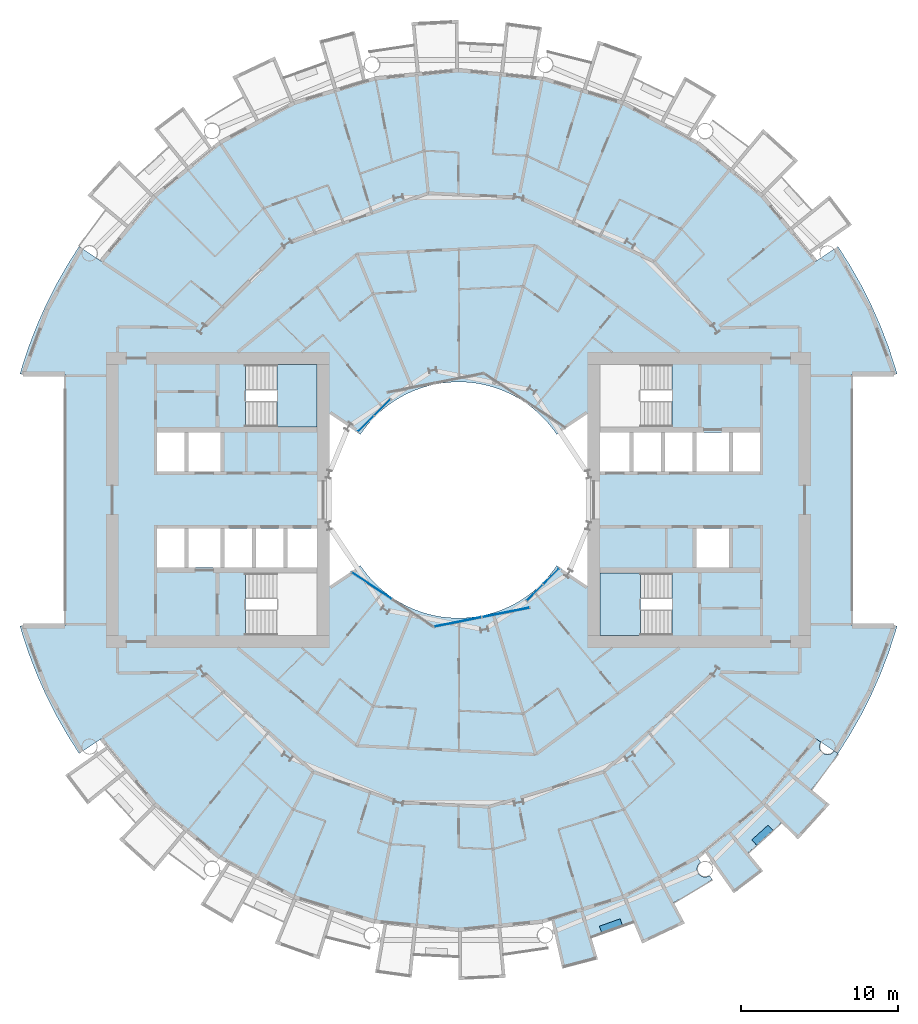
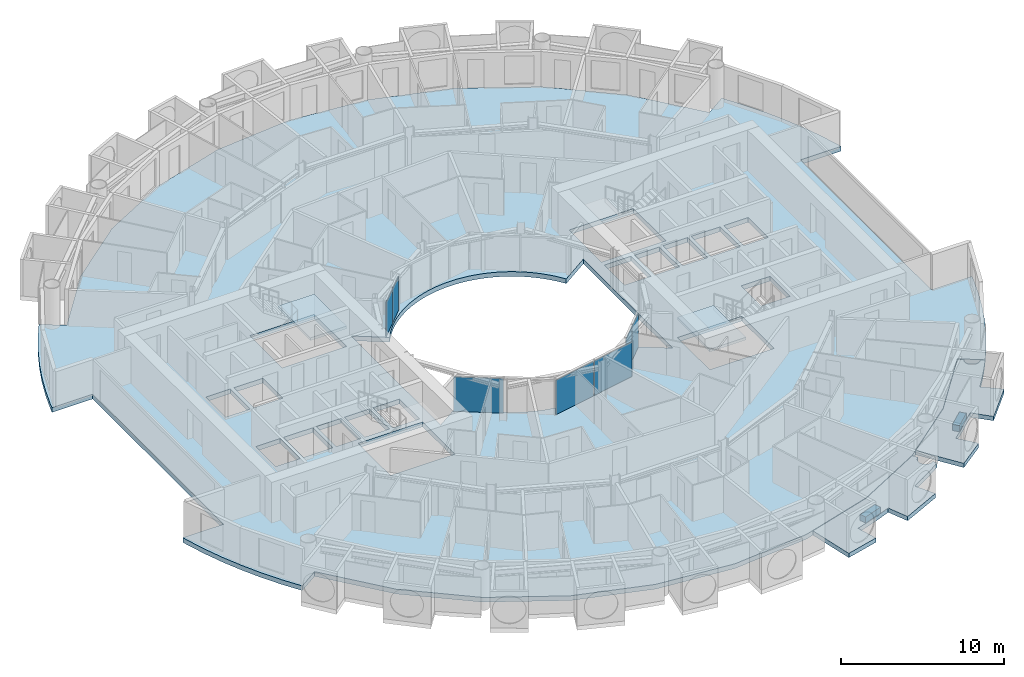
# One storey, part 10 of 26: 7 plates, 7 slabs, 6 elements without a shape of their own.
"""IFC4 building model written with IfcOpenShell, lengths in metres."""

from ifc_helpers import new_model, si_unit, direction, frame, origin, origin_2d, place, context, subcontext, project, spatial, polyline, rectangle, outline, extrude, material, layer, layer_set, type_object, element, aggregate, save


model = new_model("IFC4")

# Units and contexts
model_context = context("Model", 3, precision=1e-05, world=origin(), true_north=direction((0.0, 1.0)))
body_context = subcontext(model_context, "Body", "Model", "MODEL_VIEW")
ifc_project = project(units=[si_unit("LENGTHUNIT", "METRE"), si_unit("AREAUNIT", "SQUARE_METRE"), si_unit("VOLUMEUNIT", "CUBIC_METRE"), si_unit("PLANEANGLEUNIT", "RADIAN"), si_unit("MASSUNIT", "GRAM", prefix="KILO")], contexts=[model_context])

# Site, building, storey
site_placement = place(None, origin())
site = spatial("IfcSite", under=ifc_project, at=site_placement, CompositionType="ELEMENT")
building_placement = place(site_placement, origin())
building = spatial("IfcBuilding", under=site, at=building_placement, Name="Maasbend Ring Residences", CompositionType="ELEMENT")
storey_placement = place(building_placement, frame((0.0, 0.0, 44.14990234375)))
storey = spatial("IfcBuildingStorey", under=building, at=storey_placement, Name="L12", CompositionType="ELEMENT", Elevation=44.14990234375)

# Stair, slab
ifc_material_1 = material(Name="Concrete C40/50", Category="concrete")
stair_type = type_object("IfcStairType", Name="CORE STAIR 18 RISERS", PredefinedType="HALF_TURN_STAIR", material=ifc_material_1)
stair_1_placement = place(storey_placement, origin())
stair_1 = element("IfcStair", 1, at=stair_1_placement, inside=storey, type_object=stair_type, Name="L12 Exit stair ST-E2", PredefinedType="HALF_TURN_STAIR")
ifc_material_2 = material(Name="Concrete C40/50", Category="concrete")
ifc_layer_1 = layer(ifc_material_2, 0.199951171875)
ifc_layer_set_1 = layer_set([ifc_layer_1], Name="Concrete C40/50")
slab_type_1 = type_object("IfcSlabType", Name="CORE STAIR LANDING 200", PredefinedType="LANDING", material=ifc_layer_set_1)
slab_1_placement = place(storey_placement, frame((0.0, 0.0, 1.3251953125)))
slab_1 = element("IfcSlab", 2, at=slab_1_placement, type_object=slab_type_1, Name="ST-E2 landing 1", PredefinedType="LANDING", context=body_context, shape_type="SweptSolid", body=[
    extrude(outline(polyline([(11.550048828125, -4.64990234375), (9.0, -4.64990234375), (9.0, -8.60009765625), (11.550048828125, -8.60009765625), (11.550048828125, -4.64990234375)])), origin(), (0.0, 0.0, 1.0), 0.199951171875),
])
aggregate(stair_1, [slab_1])

stair_2_placement = place(storey_placement, origin())
stair_2 = element("IfcStair", 3, at=stair_2_placement, inside=storey, type_object=stair_type, Name="L12 Exit stair ST-W2", PredefinedType="HALF_TURN_STAIR")
slab_2_placement = place(storey_placement, frame((0.0, 0.0, 1.3251953125)))
slab_2 = element("IfcSlab", 4, at=slab_2_placement, type_object=slab_type_1, Name="ST-W2 landing 1", PredefinedType="LANDING", context=body_context, shape_type="SweptSolid", body=[
    extrude(outline(polyline([(-11.550048828125, 4.64990234375), (-9.0, 4.64990234375), (-9.0, 8.60009765625), (-11.550048828125, 8.60009765625), (-11.550048828125, 4.64990234375)])), origin(), (0.0, 0.0, 1.0), 0.199951171875),
])
aggregate(stair_2, [slab_2])

# Curtain wall, plates
ifc_material_3 = material(Name="Aluminium and clear glass", Category="aluminium")
ifc_layer_2 = layer(ifc_material_3, 0.179931640625)
ifc_layer_set_2 = layer_set([ifc_layer_2], Name="CW-W")
curtain_wall_type = type_object("IfcCurtainWallType", Name="CW-W", PredefinedType="NOTDEFINED", material=ifc_layer_set_2)
curtain_wall_1_placement = place(storey_placement, origin())
curtain_wall_1 = element("IfcCurtainWall", 5, at=curtain_wall_1_placement, inside=storey, type_object=curtain_wall_type, Name="Well curtain wall N3", PredefinedType="NOTDEFINED")
ifc_material_4 = material(Name="Glass clear laminated", Category="glass")
ifc_layer_3 = layer(ifc_material_4, 0.031982421875)
ifc_layer_set_3 = layer_set([ifc_layer_3], Name="CWP-W")
plate_type = type_object("IfcPlateType", Name="CWP-W", PredefinedType="CURTAIN_PANEL", material=ifc_layer_set_3)
plate_1_placement = place(storey_placement, frame((-4.84375, 5.89013671875, 0.0), z_axis=(0.0, 0.0, 1.0), x_axis=(-0.707106781187, -0.707106781187, 0.0)))
plate_1 = element("IfcPlate", 6, at=plate_1_placement, type_object=plate_type, Name="Glass panel well face", PredefinedType="CURTAIN_PANEL", context=body_context, shape_type="SweptSolid", body=[
    extrude(rectangle(XDim=1.419677734375, YDim=0.031982421875, at=origin_2d()), origin(), (0.0, 0.0, 1.0), 2.580078125),
])
plate_2_placement = place(storey_placement, frame((-5.89013671875, 4.84375, 0.0), z_axis=(0.0, 0.0, 1.0), x_axis=(-0.707106781187, -0.707106781187, 0.0)))
plate_2 = element("IfcPlate", 7, at=plate_2_placement, type_object=plate_type, Name="Glass panel well face", PredefinedType="CURTAIN_PANEL", context=body_context, shape_type="SweptSolid", body=[
    extrude(rectangle(XDim=1.419677734375, YDim=0.031982421875, at=origin_2d()), origin(), (0.0, 0.0, 1.0), 2.580078125),
])
aggregate(curtain_wall_1, [plate_1, plate_2])

# Curtain wall, plate
curtain_wall_2_placement = place(storey_placement, origin())
curtain_wall_2 = element("IfcCurtainWall", 8, at=curtain_wall_2_placement, inside=storey, type_object=curtain_wall_type, Name="Well curtain wall S1", PredefinedType="NOTDEFINED")
plate_3_placement = place(storey_placement, frame((-5.51123046875, -5.44580078125, 0.0), z_axis=(0.0, 0.0, 1.0), x_axis=(0.831469612303, -0.55557023302, 0.0)))
plate_3 = element("IfcPlate", 9, at=plate_3_placement, type_object=plate_type, Name="Glass panel well face", PredefinedType="CURTAIN_PANEL", context=body_context, shape_type="SweptSolid", body=[
    extrude(rectangle(XDim=3.053955078125, YDim=0.031982421875, at=origin_2d()), origin(), (0.0, 0.0, 1.0), 2.580078125),
])
aggregate(curtain_wall_2, [plate_3])

# Curtain wall, plates
curtain_wall_3_placement = place(storey_placement, origin())
curtain_wall_3 = element("IfcCurtainWall", 10, at=curtain_wall_3_placement, inside=storey, type_object=curtain_wall_type, Name="Well curtain wall S2", PredefinedType="NOTDEFINED")
plate_4_placement = place(storey_placement, frame((-0.04638671875, -7.747802734375, 0.0), z_axis=(0.0, 0.0, 1.0), x_axis=(0.980785280403, 0.195090322016, 0.0)))
plate_4 = element("IfcPlate", 11, at=plate_4_placement, type_object=plate_type, Name="Glass panel well face", PredefinedType="CURTAIN_PANEL", context=body_context, shape_type="SweptSolid", body=[
    extrude(rectangle(XDim=3.053955078125, YDim=0.031982421875, at=origin_2d()), origin(), (0.0, 0.0, 1.0), 2.580078125),
])
plate_5_placement = place(storey_placement, frame((3.0078125, -7.140380859375, 0.0), z_axis=(0.0, 0.0, 1.0), x_axis=(0.980785280403, 0.195090322016, 0.0)))
plate_5 = element("IfcPlate", 12, at=plate_5_placement, type_object=plate_type, Name="Glass panel well face", PredefinedType="CURTAIN_PANEL", context=body_context, shape_type="SweptSolid", body=[
    extrude(rectangle(XDim=3.053955078125, YDim=0.031982421875, at=origin_2d()), origin(), (0.0, 0.0, 1.0), 2.580078125),
])
aggregate(curtain_wall_3, [plate_4, plate_5])

curtain_wall_4_placement = place(storey_placement, origin())
curtain_wall_4 = element("IfcCurtainWall", 13, at=curtain_wall_4_placement, inside=storey, type_object=curtain_wall_type, Name="Well curtain wall S3", PredefinedType="NOTDEFINED")
plate_6_placement = place(storey_placement, frame((4.84375, -5.89013671875, 0.0), z_axis=(0.0, 0.0, 1.0), x_axis=(0.707106781187, 0.707106781187, 0.0)))
plate_6 = element("IfcPlate", 14, at=plate_6_placement, type_object=plate_type, Name="Glass panel well face", PredefinedType="CURTAIN_PANEL", context=body_context, shape_type="SweptSolid", body=[
    extrude(rectangle(XDim=1.419677734375, YDim=0.031982421875, at=origin_2d()), origin(), (0.0, 0.0, 1.0), 2.580078125),
])
plate_7_placement = place(storey_placement, frame((5.89013671875, -4.84375, 0.0), z_axis=(0.0, 0.0, 1.0), x_axis=(0.707106781187, 0.707106781187, 0.0)))
plate_7 = element("IfcPlate", 15, at=plate_7_placement, type_object=plate_type, Name="Glass panel well face", PredefinedType="CURTAIN_PANEL", context=body_context, shape_type="SweptSolid", body=[
    extrude(rectangle(XDim=1.419677734375, YDim=0.031982421875, at=origin_2d()), origin(), (0.0, 0.0, 1.0), 2.580078125),
])
aggregate(curtain_wall_4, [plate_6, plate_7])

# Slabs
ifc_material_5 = material(Name="Planting with climbing greenery")
ifc_layer_4 = layer(ifc_material_5, 0.449951171875)
ifc_layer_set_4 = layer_set([ifc_layer_4], Name="PLANTER-LG")
slab_type_2 = type_object("IfcSlabType", Name="PLANTER-LG", PredefinedType="USERDEFINED", material=ifc_layer_set_4)
slab_3_placement = place(storey_placement, frame((0.0, 0.0, -0.02978515625)))
element("IfcSlab", 16, at=slab_3_placement, inside=storey, type_object=slab_type_2, Name="Planter with climbing greenery 4", ObjectType="PLANTER", PredefinedType="USERDEFINED", context=body_context, shape_type="SweptSolid", body=[
    extrude(outline(polyline([(9.09912109375, -27.508056640625), (10.4169921875, -27.035888671875), (10.26611328125, -26.612060546875), (8.947021484375, -27.083984375), (9.09912109375, -27.508056640625)])), origin(), (0.0, 0.0, 1.0), 0.449951171875),
])
slab_4_placement = place(storey_placement, frame((0.0, 0.0, -0.02978515625)))
element("IfcSlab", 17, at=slab_4_placement, inside=storey, type_object=slab_type_2, Name="Planter with climbing greenery 5", ObjectType="PLANTER", PredefinedType="USERDEFINED", context=body_context, shape_type="SweptSolid", body=[
    extrude(outline(polyline([(18.93310546875, -21.931884765625), (19.969970703125, -20.991943359375), (19.66796875, -20.657958984375), (18.631103515625, -21.597900390625), (18.93310546875, -21.931884765625)])), origin(), (0.0, 0.0, 1.0), 0.449951171875),
])
ifc_material_6 = material(Name="Concrete C40/50", Category="concrete")
ifc_layer_5 = layer(ifc_material_6, 0.35009765625)
ifc_layer_set_5 = layer_set([ifc_layer_5], Name="Concrete C40/50")
slab_type_3 = type_object("IfcSlabType", Name="Post-tensioned flat plate 350", PredefinedType="FLOOR", material=ifc_layer_set_5)
slab_5_placement = place(storey_placement, frame((0.0, 0.0, -0.349853515625)))
element("IfcSlab", 18, at=slab_5_placement, inside=storey, type_object=slab_type_3, Name="Floor slab L12", PredefinedType="FLOOR", context=body_context, shape_type="SweptSolid", body=[
    extrude(outline(polyline([(24.8740234375, -14.908935546875), (25.57568359375, -13.67041015625), (26.2158203125, -12.399169921875), (26.79248046875, -11.097900390625), (27.3046875, -9.769775390625), (27.751220703125, -8.418212890625), (27.866943359375, -8.0), (25.0, -8.0), (25.0, 8.0), (27.866943359375, 8.0), (27.751220703125, 8.418212890625), (27.3046875, 9.769775390625), (26.79248046875, 11.097900390625), (26.2158203125, 12.399169921875), (25.57568359375, 13.67041015625), (24.8740234375, 14.908935546875), (24.112548828125, 16.111572265625), (22.69921875, 15.1669921875), (19.303955078125, 19.303955078125), (15.1669921875, 22.69921875), (10.447265625, 25.221923828125), (5.325927734375, 26.775390625), (0.0, 27.300048828125), (-5.325927734375, 26.775390625), (-10.447265625, 25.221923828125), (-15.1669921875, 22.69921875), (-19.303955078125, 19.303955078125), (-22.69921875, 15.1669921875), (-24.112548828125, 16.111572265625), (-24.8740234375, 14.908935546875), (-25.57568359375, 13.67041015625), (-26.2158203125, 12.399169921875), (-26.79248046875, 11.097900390625), (-27.3046875, 9.769775390625), (-27.751220703125, 8.418212890625), (-27.866943359375, 8.0), (-25.0, 8.0), (-25.0, -8.0), (-27.866943359375, -8.0), (-27.751220703125, -8.418212890625), (-27.3046875, -9.769775390625), (-26.79248046875, -11.097900390625), (-26.2158203125, -12.399169921875), (-25.57568359375, -13.67041015625), (-24.8740234375, -14.908935546875), (-24.112548828125, -16.111572265625), (-22.69921875, -15.1669921875), (-19.303955078125, -19.303955078125), (-15.1669921875, -22.69921875), (-10.447265625, -25.221923828125), (-5.325927734375, -26.775390625), (0.0, -27.300048828125), (5.325927734375, -26.775390625), (10.447265625, -25.221923828125), (15.1669921875, -22.69921875), (19.303955078125, -19.303955078125), (22.69921875, -15.1669921875), (24.112548828125, -16.111572265625), (24.8740234375, -14.908935546875)]), holes=[polyline([(17.425048828125, 4.27490234375), (19.14990234375, 4.27490234375), (19.14990234375, 1.824951171875), (17.425048828125, 1.824951171875), (17.425048828125, 4.27490234375)]), polyline([(15.125, 1.824951171875), (15.125, 4.27490234375), (17.175048828125, 4.27490234375), (17.175048828125, 1.824951171875), (15.125, 1.824951171875)]), polyline([(15.125, -4.27490234375), (15.125, -1.824951171875), (17.175048828125, -1.824951171875), (17.175048828125, -4.27490234375), (15.125, -4.27490234375)]), polyline([(13.125, 1.824951171875), (13.125, 4.27490234375), (14.875, 4.27490234375), (14.875, 1.824951171875), (13.125, 1.824951171875)]), polyline([(13.550048828125, 4.64990234375), (9.0, 4.64990234375), (9.0, 8.60009765625), (13.550048828125, 8.60009765625), (13.550048828125, 4.64990234375)]), polyline([(13.550048828125, -4.64990234375), (13.550048828125, -8.60009765625), (9.0, -8.60009765625), (9.0, -4.64990234375), (13.550048828125, -4.64990234375)]), polyline([(11.125, 1.824951171875), (11.125, 4.27490234375), (12.875, 4.27490234375), (12.875, 1.824951171875), (11.125, 1.824951171875)]), polyline([(9.0, 1.824951171875), (9.0, 4.27490234375), (10.875, 4.27490234375), (10.875, 1.824951171875), (9.0, 1.824951171875)]), polyline([(6.024169921875, 4.4677734375), (6.236083984375, 4.166748046875), (8.199951171875, 5.47900390625), (8.199951171875, -5.47900390625), (6.236083984375, -4.166748046875), (6.024169921875, -4.4677734375), (5.797607421875, -4.7578125), (5.55712890625, -5.03662109375), (5.30322265625, -5.30322265625), (5.03662109375, -5.55712890625), (4.7578125, -5.797607421875), (4.4677734375, -6.024169921875), (4.166748046875, -6.236083984375), (3.855712890625, -6.43310546875), (3.535400390625, -6.614501953125), (3.206787109375, -6.77978515625), (2.8701171875, -6.92919921875), (2.526611328125, -7.0615234375), (2.177001953125, -7.177001953125), (1.822509765625, -7.275146484375), (1.463134765625, -7.35595703125), (1.1005859375, -7.418701171875), (0.735107421875, -7.4638671875), (0.367919921875, -7.490966796875), (0.0, -7.5), (-0.367919921875, -7.490966796875), (-0.735107421875, -7.4638671875), (-1.1005859375, -7.418701171875), (-1.463134765625, -7.35595703125), (-1.822509765625, -7.275146484375), (-2.177001953125, -7.177001953125), (-2.526611328125, -7.0615234375), (-2.8701171875, -6.92919921875), (-3.206787109375, -6.77978515625), (-3.535400390625, -6.614501953125), (-3.855712890625, -6.43310546875), (-4.166748046875, -6.236083984375), (-4.4677734375, -6.024169921875), (-4.7578125, -5.797607421875), (-5.03662109375, -5.55712890625), (-5.30322265625, -5.30322265625), (-5.55712890625, -5.03662109375), (-5.797607421875, -4.7578125), (-6.024169921875, -4.4677734375), (-6.236083984375, -4.166748046875), (-8.199951171875, -5.47900390625), (-8.199951171875, 5.47900390625), (-6.236083984375, 4.166748046875), (-6.236083984375, 4.166748046875), (-6.024169921875, 4.4677734375), (-5.797607421875, 4.7578125), (-5.55712890625, 5.03662109375), (-5.30322265625, 5.30322265625), (-5.03662109375, 5.55712890625), (-4.7578125, 5.797607421875), (-4.4677734375, 6.024169921875), (-4.166748046875, 6.236083984375), (-3.855712890625, 6.43310546875), (-3.535400390625, 6.614501953125), (-3.206787109375, 6.77978515625), (-2.8701171875, 6.92919921875), (-2.526611328125, 7.0615234375), (-2.177001953125, 7.177001953125), (-1.822509765625, 7.275146484375), (-1.463134765625, 7.35595703125), (-1.1005859375, 7.418701171875), (-0.735107421875, 7.4638671875), (-0.367919921875, 7.490966796875), (0.0, 7.5), (0.367919921875, 7.490966796875), (0.735107421875, 7.4638671875), (1.1005859375, 7.418701171875), (1.463134765625, 7.35595703125), (1.822509765625, 7.275146484375), (2.177001953125, 7.177001953125), (2.526611328125, 7.0615234375), (2.8701171875, 6.92919921875), (3.206787109375, 6.77978515625), (3.535400390625, 6.614501953125), (3.855712890625, 6.43310546875), (4.166748046875, 6.236083984375), (4.4677734375, 6.024169921875), (4.7578125, 5.797607421875), (5.03662109375, 5.55712890625), (5.30322265625, 5.30322265625), (5.55712890625, 5.03662109375), (5.797607421875, 4.7578125), (6.024169921875, 4.4677734375)]), polyline([(-13.550048828125, 4.64990234375), (-13.550048828125, 8.60009765625), (-9.0, 8.60009765625), (-9.0, 4.64990234375), (-13.550048828125, 4.64990234375)]), polyline([(-13.550048828125, -8.60009765625), (-13.550048828125, -4.64990234375), (-9.0, -4.64990234375), (-9.0, -8.60009765625), (-13.550048828125, -8.60009765625)]), polyline([(-9.0, -1.824951171875), (-9.0, -4.27490234375), (-10.875, -4.27490234375), (-10.875, -1.824951171875), (-9.0, -1.824951171875)]), polyline([(-11.125, -1.824951171875), (-11.125, -4.27490234375), (-12.875, -4.27490234375), (-12.875, -1.824951171875), (-11.125, -1.824951171875)]), polyline([(-13.125, -1.824951171875), (-13.125, -4.27490234375), (-14.875, -4.27490234375), (-14.875, -1.824951171875), (-13.125, -1.824951171875)]), polyline([(-15.125, 4.27490234375), (-15.125, 1.824951171875), (-17.175048828125, 1.824951171875), (-17.175048828125, 4.27490234375), (-15.125, 4.27490234375)]), polyline([(-15.125, -1.824951171875), (-15.125, -4.27490234375), (-17.175048828125, -4.27490234375), (-17.175048828125, -1.824951171875), (-15.125, -1.824951171875)]), polyline([(-17.425048828125, -1.824951171875), (-17.425048828125, -4.27490234375), (-19.14990234375, -4.27490234375), (-19.14990234375, -1.824951171875), (-17.425048828125, -1.824951171875)]), polyline([(-17.425048828125, 4.27490234375), (-17.425048828125, 1.824951171875), (-19.14990234375, 1.824951171875), (-19.14990234375, 4.27490234375), (-17.425048828125, 4.27490234375)])]), origin(), (0.0, 0.0, 1.0), 0.349853515625),
])
ifc_material_7 = material(Name="Concrete C40/50", Category="concrete")
ifc_layer_6 = layer(ifc_material_7, 0.199951171875)
ifc_layer_set_6 = layer_set([ifc_layer_6], Name="Concrete C40/50")
slab_type_4 = type_object("IfcSlabType", Name="SL-LOGGIA", PredefinedType="FLOOR", material=ifc_layer_set_6)
slab_6_placement = place(storey_placement, frame((0.0, 0.0, -0.349853515625)))
element("IfcSlab", 19, at=slab_6_placement, inside=storey, type_object=slab_type_4, Name="Loggia floor 1", PredefinedType="FLOOR", context=body_context, shape_type="SweptSolid", body=[
    extrude(outline(polyline([(10.447021484375, -25.221923828125), (12.806884765625, -23.9609375), (15.1669921875, -22.698974609375), (15.1669921875, -22.698974609375), (15.1669921875, -22.698974609375), (15.385009765625, -23.02490234375), (15.375, -23.031982421875), (15.364013671875, -23.0390625), (15.35498046875, -23.047119140625), (15.344970703125, -23.054931640625), (15.3349609375, -23.06298828125), (15.325927734375, -23.071044921875), (15.31689453125, -23.0791015625), (15.30810546875, -23.087890625), (15.299072265625, -23.096923828125), (15.291015625, -23.10595703125), (15.281982421875, -23.115966796875), (15.27392578125, -23.125), (15.26708984375, -23.135009765625), (15.259033203125, -23.14501953125), (15.251953125, -23.155029296875), (15.2451171875, -23.1650390625), (15.238037109375, -23.176025390625), (15.23095703125, -23.18603515625), (15.22509765625, -23.197021484375), (15.218994140625, -23.2080078125), (15.212890625, -23.218994140625), (15.2080078125, -23.22998046875), (15.202880859375, -23.241943359375), (15.197998046875, -23.2529296875), (15.193115234375, -23.264892578125), (15.18896484375, -23.27587890625), (15.18505859375, -23.2880859375), (15.180908203125, -23.300048828125), (15.177978515625, -23.31201171875), (15.174072265625, -23.323974609375), (15.1708984375, -23.3359375), (15.1689453125, -23.347900390625), (15.1669921875, -23.361083984375), (15.1650390625, -23.373046875), (15.1630859375, -23.385009765625), (15.162109375, -23.39794921875), (15.159912109375, -23.409912109375), (15.159912109375, -23.422119140625), (15.158935546875, -23.43505859375), (15.158935546875, -23.447021484375), (15.158935546875, -23.4599609375), (15.159912109375, -23.471923828125), (15.159912109375, -23.485107421875), (15.162109375, -23.4970703125), (15.1630859375, -23.510009765625), (15.1650390625, -23.52197265625), (15.1669921875, -23.533935546875), (15.1689453125, -23.547119140625), (15.1708984375, -23.55908203125), (15.174072265625, -23.571044921875), (15.177978515625, -23.5830078125), (15.180908203125, -23.594970703125), (15.18505859375, -23.60693359375), (15.18896484375, -23.618896484375), (15.193115234375, -23.6298828125), (15.197998046875, -23.64208984375), (15.202880859375, -23.653076171875), (15.2080078125, -23.6650390625), (15.212890625, -23.676025390625), (15.218994140625, -23.68701171875), (15.22509765625, -23.697998046875), (15.23095703125, -23.708984375), (15.238037109375, -23.718994140625), (15.2451171875, -23.72998046875), (15.251953125, -23.739990234375), (15.259033203125, -23.75), (15.26708984375, -23.760009765625), (15.27392578125, -23.77001953125), (15.281982421875, -23.779052734375), (15.291015625, -23.7890625), (15.299072265625, -23.798095703125), (15.30810546875, -23.806884765625), (15.31689453125, -23.81494140625), (15.325927734375, -23.823974609375), (15.3349609375, -23.83203125), (15.344970703125, -23.840087890625), (15.35498046875, -23.847900390625), (15.364013671875, -23.85498046875), (15.375, -23.863037109375), (15.385009765625, -23.8701171875), (15.39501953125, -23.876953125), (15.406005859375, -23.883056640625), (15.4169921875, -23.888916015625), (15.427978515625, -23.89501953125), (15.43896484375, -23.90087890625), (15.449951171875, -23.906982421875), (15.4609375, -23.912109375), (15.472900390625, -23.9169921875), (15.48388671875, -23.9208984375), (15.49609375, -23.926025390625), (15.508056640625, -23.929931640625), (15.52001953125, -23.93408203125), (15.531982421875, -23.93701171875), (15.5439453125, -23.93994140625), (15.555908203125, -23.943115234375), (15.568115234375, -23.946044921875), (15.580078125, -23.947998046875), (15.593017578125, -23.949951171875), (15.60498046875, -23.951904296875), (15.616943359375, -23.952880859375), (15.6298828125, -23.9541015625), (15.64208984375, -23.955078125), (15.655029296875, -23.955078125), (15.6669921875, -23.955078125), (15.679931640625, -23.955078125), (15.69189453125, -23.955078125), (15.7041015625, -23.9541015625), (15.717041015625, -23.952880859375), (15.72900390625, -23.951904296875), (15.741943359375, -23.949951171875), (15.75390625, -23.947998046875), (15.76611328125, -23.946044921875), (15.778076171875, -23.943115234375), (15.791015625, -23.93994140625), (15.802978515625, -23.93701171875), (15.81494140625, -23.93408203125), (15.825927734375, -23.929931640625), (15.837890625, -23.926025390625), (15.85009765625, -23.9208984375), (15.862060546875, -23.9169921875), (15.873046875, -23.912109375), (15.884033203125, -23.906982421875), (15.89599609375, -23.90087890625), (15.906982421875, -23.89501953125), (15.9169921875, -23.888916015625), (15.927978515625, -23.883056640625), (15.93896484375, -23.876953125), (15.948974609375, -23.8701171875), (16.112060546875, -24.113037109375), (16.112060546875, -24.113037109375), (16.112060546875, -24.113037109375), (15.31396484375, -24.626953125), (15.31396484375, -24.626953125), (14.5, -25.114990234375), (14.5, -25.114990234375), (13.6708984375, -25.574951171875), (13.6708984375, -25.575927734375), (13.6708984375, -25.575927734375), (13.6708984375, -25.575927734375), (13.6708984375, -25.575927734375), (13.6708984375, -25.575927734375), (13.6708984375, -25.575927734375), (13.6708984375, -25.575927734375), (13.6708984375, -25.575927734375), (13.6708984375, -25.575927734375), (13.6708984375, -25.575927734375), (13.6708984375, -25.575927734375), (13.6708984375, -25.575927734375), (13.6708984375, -25.575927734375), (13.6708984375, -25.575927734375), (13.6708984375, -25.575927734375), (13.6708984375, -25.575927734375), (14.3779296875, -26.89892578125), (14.3779296875, -26.89892578125), (14.3779296875, -26.89892578125), (11.672119140625, -28.177978515625), (11.672119140625, -28.177978515625), (11.672119140625, -28.177978515625), (11.097900390625, -26.79296875), (11.097900390625, -26.79296875), (11.097900390625, -26.79296875), (11.097900390625, -26.79296875), (11.097900390625, -26.79296875), (11.097900390625, -26.79296875), (11.097900390625, -26.79296875), (11.097900390625, -26.79296875), (11.097900390625, -26.79296875), (11.097900390625, -26.79296875), (11.097900390625, -26.79296875), (11.097900390625, -26.79296875), (11.097900390625, -26.79296875), (11.097900390625, -26.79296875), (11.096923828125, -26.79296875), (11.096923828125, -26.79296875), (11.096923828125, -26.79296875), (10.215087890625, -27.14111328125), (10.215087890625, -27.14111328125), (9.322021484375, -27.4609375), (9.322021484375, -27.4609375), (8.4189453125, -27.7509765625), (8.4189453125, -27.7509765625), (8.4189453125, -27.7509765625), (8.4189453125, -27.7509765625), (8.4189453125, -27.7509765625), (8.4189453125, -27.7509765625), (8.41796875, -27.7509765625), (8.41796875, -27.7509765625), (8.41796875, -27.7509765625), (8.41796875, -27.7509765625), (8.41796875, -27.7509765625), (8.41796875, -27.751953125), (8.41796875, -27.751953125), (8.41796875, -27.751953125), (8.41796875, -27.751953125), (8.41796875, -27.751953125), (8.41796875, -27.751953125), (8.85400390625, -29.18701171875), (8.85400390625, -29.18701171875), (8.85400390625, -29.18701171875), (6.593994140625, -29.779052734375), (6.593994140625, -29.779052734375), (6.593994140625, -29.779052734375), (5.89111328125, -26.60400390625), (5.89111328125, -26.60400390625), (5.89111328125, -26.60400390625), (7.886962890625, -25.9990234375), (10.447021484375, -25.221923828125), (10.447021484375, -25.221923828125), (10.447021484375, -25.221923828125)])), origin(), (0.0, 0.0, 1.0), 0.320068359375),
])
slab_7_placement = place(storey_placement, frame((0.0, 0.0, -0.349853515625)))
element("IfcSlab", 20, at=slab_7_placement, inside=storey, type_object=slab_type_4, Name="Loggia floor 4", PredefinedType="FLOOR", context=body_context, shape_type="SweptSolid", body=[
    extrude(outline(polyline([(19.303955078125, -19.303955078125), (21.001953125, -17.236083984375), (22.698974609375, -15.1669921875), (22.698974609375, -15.1669921875), (22.698974609375, -15.1669921875), (23.02490234375, -15.385009765625), (23.02490234375, -15.385009765625), (23.01806640625, -15.39501953125), (23.011962890625, -15.406005859375), (23.0048828125, -15.4169921875), (22.9990234375, -15.427978515625), (22.993896484375, -15.43896484375), (22.988037109375, -15.449951171875), (22.98291015625, -15.4609375), (22.97802734375, -15.472900390625), (22.972900390625, -15.48388671875), (22.968994140625, -15.49609375), (22.965087890625, -15.508056640625), (22.9609375, -15.52001953125), (22.9580078125, -15.531982421875), (22.955078125, -15.5439453125), (22.951904296875, -15.555908203125), (22.948974609375, -15.568115234375), (22.947021484375, -15.580078125), (22.945068359375, -15.593017578125), (22.943115234375, -15.60498046875), (22.94189453125, -15.616943359375), (22.94091796875, -15.6298828125), (22.93994140625, -15.64208984375), (22.93994140625, -15.655029296875), (22.93896484375, -15.6669921875), (22.93994140625, -15.679931640625), (22.93994140625, -15.69189453125), (22.94091796875, -15.7041015625), (22.94189453125, -15.717041015625), (22.943115234375, -15.72900390625), (22.945068359375, -15.741943359375), (22.947021484375, -15.75390625), (22.948974609375, -15.76611328125), (22.951904296875, -15.778076171875), (22.955078125, -15.791015625), (22.9580078125, -15.802978515625), (22.9609375, -15.81494140625), (22.965087890625, -15.825927734375), (22.968994140625, -15.837890625), (22.972900390625, -15.85009765625), (22.97802734375, -15.862060546875), (22.98291015625, -15.873046875), (22.988037109375, -15.884033203125), (22.993896484375, -15.89599609375), (22.9990234375, -15.906982421875), (23.0048828125, -15.9169921875), (23.011962890625, -15.927978515625), (23.01806640625, -15.93896484375), (23.02490234375, -15.948974609375), (23.031982421875, -15.9599609375), (23.0390625, -15.969970703125), (23.047119140625, -15.97998046875), (23.054931640625, -15.989013671875), (23.06298828125, -15.9990234375), (23.071044921875, -16.008056640625), (23.0791015625, -16.01708984375), (23.087890625, -16.02587890625), (23.096923828125, -16.034912109375), (23.10595703125, -16.0439453125), (23.115966796875, -16.052001953125), (23.125, -16.06005859375), (23.135009765625, -16.068115234375), (23.14501953125, -16.074951171875), (23.155029296875, -16.08203125), (23.1650390625, -16.089111328125), (23.176025390625, -16.095947265625), (23.18603515625, -16.10302734375), (23.197021484375, -16.10888671875), (23.2080078125, -16.114990234375), (23.218994140625, -16.12109375), (23.22998046875, -16.1259765625), (23.241943359375, -16.132080078125), (23.2529296875, -16.135986328125), (23.264892578125, -16.14111328125), (23.27587890625, -16.14501953125), (23.2880859375, -16.14892578125), (23.300048828125, -16.153076171875), (23.31201171875, -16.156982421875), (23.323974609375, -16.159912109375), (23.3359375, -16.1630859375), (23.347900390625, -16.1650390625), (23.361083984375, -16.16796875), (23.373046875, -16.169921875), (23.385009765625, -16.1708984375), (23.39794921875, -16.173095703125), (23.409912109375, -16.174072265625), (23.422119140625, -16.174072265625), (23.43505859375, -16.175048828125), (23.447021484375, -16.175048828125), (23.4599609375, -16.175048828125), (23.471923828125, -16.174072265625), (23.485107421875, -16.174072265625), (23.4970703125, -16.173095703125), (23.510009765625, -16.1708984375), (23.52197265625, -16.169921875), (23.533935546875, -16.16796875), (23.547119140625, -16.1650390625), (23.55908203125, -16.1630859375), (23.571044921875, -16.159912109375), (23.5830078125, -16.156982421875), (23.594970703125, -16.153076171875), (23.60693359375, -16.14892578125), (23.618896484375, -16.14501953125), (23.6298828125, -16.14111328125), (23.64208984375, -16.135986328125), (23.653076171875, -16.132080078125), (23.6650390625, -16.1259765625), (23.676025390625, -16.12109375), (23.68701171875, -16.114990234375), (23.697998046875, -16.10888671875), (23.708984375, -16.10302734375), (23.718994140625, -16.095947265625), (23.72998046875, -16.089111328125), (23.739990234375, -16.08203125), (23.75, -16.074951171875), (23.760009765625, -16.068115234375), (23.77001953125, -16.06005859375), (23.779052734375, -16.052001953125), (23.7890625, -16.0439453125), (23.798095703125, -16.034912109375), (23.806884765625, -16.02587890625), (23.81494140625, -16.01708984375), (23.823974609375, -16.008056640625), (23.83203125, -15.9990234375), (23.840087890625, -15.989013671875), (23.847900390625, -15.97998046875), (23.85498046875, -15.969970703125), (23.863037109375, -15.9599609375), (23.8701171875, -15.948974609375), (23.8701171875, -15.948974609375), (24.113037109375, -16.112060546875), (24.113037109375, -16.112060546875), (24.113037109375, -16.112060546875), (23.572998046875, -16.89208984375), (23.572998046875, -16.89208984375), (23.007080078125, -17.654052734375), (23.007080078125, -17.654052734375), (22.41796875, -18.39697265625), (22.41796875, -18.39697265625), (22.41796875, -18.39697265625), (22.41796875, -18.39697265625), (22.41796875, -18.39697265625), (22.41796875, -18.39697265625), (22.41796875, -18.39697265625), (22.41796875, -18.39697265625), (22.41796875, -18.39697265625), (22.41796875, -18.39697265625), (22.41796875, -18.39697265625), (22.41796875, -18.39794921875), (22.41796875, -18.39794921875), (22.41796875, -18.39794921875), (22.41796875, -18.39794921875), (22.41796875, -18.39794921875), (22.41796875, -18.39794921875), (23.576904296875, -19.34912109375), (23.576904296875, -19.34912109375), (23.576904296875, -19.34912109375), (21.56689453125, -21.56689453125), (21.56689453125, -21.56689453125), (21.56689453125, -21.56689453125), (20.506103515625, -20.506103515625), (20.506103515625, -20.506103515625), (20.506103515625, -20.506103515625), (20.506103515625, -20.506103515625), (20.506103515625, -20.506103515625), (20.506103515625, -20.506103515625), (20.506103515625, -20.506103515625), (20.506103515625, -20.506103515625), (20.506103515625, -20.506103515625), (20.506103515625, -20.506103515625), (20.506103515625, -20.506103515625), (20.506103515625, -20.506103515625), (20.506103515625, -20.506103515625), (20.506103515625, -20.506103515625), (20.506103515625, -20.506103515625), (20.506103515625, -20.506103515625), (20.506103515625, -20.506103515625), (19.823974609375, -21.166015625), (19.823974609375, -21.166015625), (19.12109375, -21.802978515625), (19.12109375, -21.802978515625), (18.39794921875, -22.4169921875), (18.39794921875, -22.4169921875), (18.39794921875, -22.4169921875), (18.39794921875, -22.4169921875), (18.39794921875, -22.4169921875), (18.39794921875, -22.4169921875), (18.39794921875, -22.4169921875), (18.39794921875, -22.4169921875), (18.39794921875, -22.4169921875), (18.39794921875, -22.4169921875), (18.39794921875, -22.4169921875), (18.39794921875, -22.4169921875), (18.39794921875, -22.41796875), (18.39794921875, -22.41796875), (18.39794921875, -22.41796875), (18.39794921875, -22.41796875), (18.39794921875, -22.41796875), (19.34912109375, -23.576904296875), (19.34912109375, -23.576904296875), (19.34912109375, -23.576904296875), (17.488037109375, -24.989013671875), (17.488037109375, -24.989013671875), (17.488037109375, -24.989013671875), (15.623046875, -22.324951171875), (15.623046875, -22.324951171875), (15.623046875, -22.324951171875), (17.236083984375, -21.001953125), (19.303955078125, -19.303955078125), (19.303955078125, -19.303955078125), (19.303955078125, -19.303955078125)])), origin(), (0.0, 0.0, 1.0), 0.320068359375),
])

save(model, "model.ifc")
